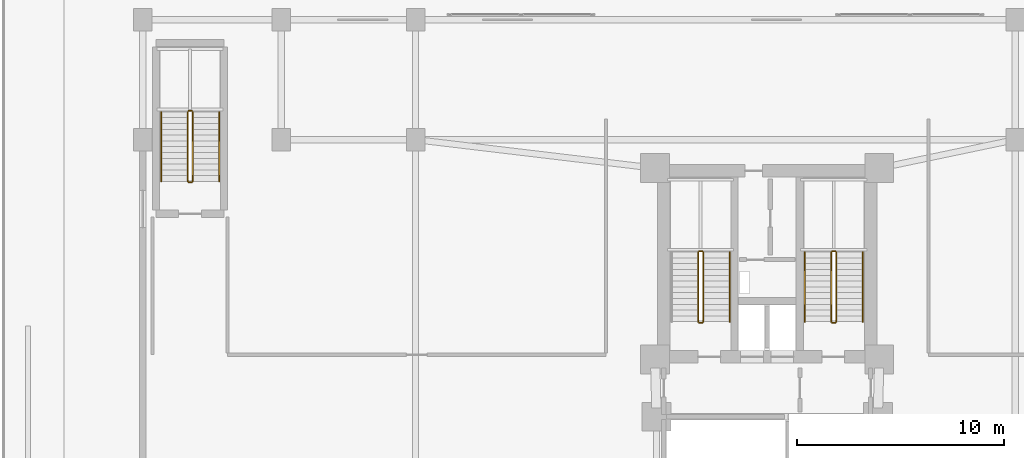
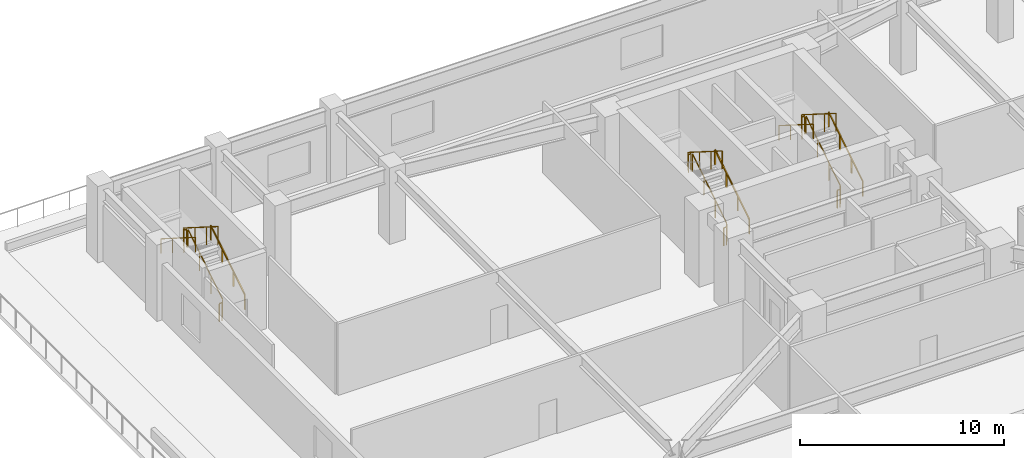
# One storey, part 10 of 10: 17 railings.
"""IFC4 building model written with IfcOpenShell, lengths in metres."""

from ifc_helpers import new_model, si_unit, direction, frame, origin, origin_2d, place, context, subcontext, project, spatial, rectangle, extrude, material, type_object, element, save


model = new_model("IFC4")

# Units and contexts
model_context = context("Model", 3, precision=1e-05, world=origin(), true_north=direction((0.0, 1.0)))
body_context = subcontext(model_context, "Body", "Model", "MODEL_VIEW")
ifc_project = project(units=[si_unit("LENGTHUNIT", "METRE"), si_unit("AREAUNIT", "SQUARE_METRE"), si_unit("VOLUMEUNIT", "CUBIC_METRE"), si_unit("PLANEANGLEUNIT", "RADIAN"), si_unit("MASSUNIT", "GRAM", prefix="KILO")], contexts=[model_context])

# Site, building, storey
site_placement = place(None, origin())
site = spatial("IfcSite", under=ifc_project, at=site_placement, CompositionType="ELEMENT")
building_placement = place(site_placement, origin())
building = spatial("IfcBuilding", under=site, at=building_placement, Name="Varnakorn Sky Granary", CompositionType="ELEMENT")
storey_placement = place(building_placement, frame((0.0, 0.0, 9.199951171875)))
storey = spatial("IfcBuildingStorey", under=building, at=storey_placement, Name="L02", CompositionType="ELEMENT", Elevation=9.199951171875)

# Railings
ifc_material = material(Name="Brushed Stainless Steel 316", Category="steel")
railing_type_1 = type_object("IfcRailingType", Name="RL-STAIR-1100", PredefinedType="GUARDRAIL", material=ifc_material)
railing_1_placement = place(storey_placement, frame((-0.090087890625, 5.199951171875, 0.177001953125)))
element("IfcRailing", 1, at=railing_1_placement, inside=storey, type_object=railing_type_1, Name="L02 ST-1 stair guard 1", PredefinedType="GUARDRAIL", context=body_context, shape_type="SweptSolid", body=[
    extrude(rectangle(XDim=0.048095703125, YDim=0.048095703125, at=origin_2d()), frame((0.0, 0.0, 1.076171875), z_axis=(0.0, 0.845389635667, 0.534150132366), x_axis=(-1.0, 0.0, 0.0)), (0.0, 0.0, 1.0), 3.974609375),
    extrude(rectangle(XDim=0.0419921875, YDim=0.0419921875, at=origin_2d()), origin(), (0.0, 0.0, 1.0), 1.048095703125),
    extrude(rectangle(XDim=0.0419921875, YDim=0.0419921875, at=origin_2d()), frame((0.0, 1.1201171875, 0.707763671875)), (0.0, 0.0, 1.0), 1.048095703125),
    extrude(rectangle(XDim=0.0419921875, YDim=0.0419921875, at=origin_2d()), frame((0.0, 2.239990234375, 1.415283203125)), (0.0, 0.0, 1.0), 1.048095703125),
    extrude(rectangle(XDim=0.0419921875, YDim=0.0419921875, at=origin_2d()), frame((0.0, 3.360107421875, 2.123046875)), (0.0, 0.0, 1.0), 1.048095703125),
])
railing_2_placement = place(storey_placement, frame((-0.139892578125, 8.610107421875, 2.300048828125)))
element("IfcRailing", 2, at=railing_2_placement, inside=storey, type_object=railing_type_1, Name="L02 ST-1 stair guard 2", PredefinedType="GUARDRAIL", context=body_context, shape_type="SweptSolid", body=[
    extrude(rectangle(XDim=0.048095703125, YDim=0.048095703125, at=origin_2d()), frame((0.0, 0.0, 1.076171875), z_axis=(-1.0, 0.0, 0.0), x_axis=(0.0, -1.0, 0.0)), (0.0, 0.0, 1.0), 0.150146484375),
    extrude(rectangle(XDim=0.0419921875, YDim=0.0419921875, at=origin_2d()), origin(), (0.0, 0.0, 1.0), 1.048095703125),
    extrude(rectangle(XDim=0.0419921875, YDim=0.0419921875, at=origin_2d()), frame((-0.150146484375, 0.0, 0.0)), (0.0, 0.0, 1.0), 1.048095703125),
])
railing_3_placement = place(storey_placement, frame((-0.340087890625, 8.56005859375, 2.47705078125)))
element("IfcRailing", 3, at=railing_3_placement, inside=storey, type_object=railing_type_1, Name="L02 ST-1 stair guard 3", PredefinedType="GUARDRAIL", context=body_context, shape_type="SweptSolid", body=[
    extrude(rectangle(XDim=0.048095703125, YDim=0.048095703125, at=origin_2d()), frame((0.0, 0.0, 1.076171875), z_axis=(0.0, -0.845389635667, 0.534150132366), x_axis=(1.0, 0.0, 0.0)), (0.0, 0.0, 1.0), 3.974609375),
    extrude(rectangle(XDim=0.0419921875, YDim=0.0419921875, at=origin_2d()), origin(), (0.0, 0.0, 1.0), 1.048095703125),
    extrude(rectangle(XDim=0.0419921875, YDim=0.0419921875, at=origin_2d()), frame((0.0, -1.1201171875, 0.707763671875)), (0.0, 0.0, 1.0), 1.048095703125),
    extrude(rectangle(XDim=0.0419921875, YDim=0.0419921875, at=origin_2d()), frame((0.0, -2.239990234375, 1.415283203125)), (0.0, 0.0, 1.0), 1.048095703125),
    extrude(rectangle(XDim=0.0419921875, YDim=0.0419921875, at=origin_2d()), frame((0.0, -3.360107421875, 2.123046875)), (0.0, 0.0, 1.0), 1.048095703125),
])
railing_4_placement = place(storey_placement, frame((-0.139892578125, 5.14990234375, 0.0)))
element("IfcRailing", 4, at=railing_4_placement, inside=storey, type_object=railing_type_1, Name="L02 ST-1 stair guard 4", PredefinedType="GUARDRAIL", context=body_context, shape_type="SweptSolid", body=[
    extrude(rectangle(XDim=0.048095703125, YDim=0.048095703125, at=origin_2d()), frame((0.0, 0.0, 1.076171875), z_axis=(-1.0, 0.0, 0.0), x_axis=(0.0, -1.0, 0.0)), (0.0, 0.0, 1.0), 0.150146484375),
    extrude(rectangle(XDim=0.0419921875, YDim=0.0419921875, at=origin_2d()), origin(), (0.0, 0.0, 1.0), 1.048095703125),
    extrude(rectangle(XDim=0.0419921875, YDim=0.0419921875, at=origin_2d()), frame((-0.150146484375, 0.0, 0.0)), (0.0, 0.0, 1.0), 1.048095703125),
])
railing_5_placement = place(storey_placement, frame((6.35009765625, 5.199951171875, 0.177001953125)))
element("IfcRailing", 5, at=railing_5_placement, inside=storey, type_object=railing_type_1, Name="L02 ST-2 stair guard 1", PredefinedType="GUARDRAIL", context=body_context, shape_type="SweptSolid", body=[
    extrude(rectangle(XDim=0.048095703125, YDim=0.048095703125, at=origin_2d()), frame((0.0, 0.0, 1.076171875), z_axis=(0.0, 0.845389635667, 0.534150132366), x_axis=(-1.0, 0.0, 0.0)), (0.0, 0.0, 1.0), 3.974609375),
    extrude(rectangle(XDim=0.0419921875, YDim=0.0419921875, at=origin_2d()), origin(), (0.0, 0.0, 1.0), 1.048095703125),
    extrude(rectangle(XDim=0.0419921875, YDim=0.0419921875, at=origin_2d()), frame((0.0, 1.1201171875, 0.707763671875)), (0.0, 0.0, 1.0), 1.048095703125),
    extrude(rectangle(XDim=0.0419921875, YDim=0.0419921875, at=origin_2d()), frame((0.0, 2.239990234375, 1.415283203125)), (0.0, 0.0, 1.0), 1.048095703125),
    extrude(rectangle(XDim=0.0419921875, YDim=0.0419921875, at=origin_2d()), frame((0.0, 3.360107421875, 2.123046875)), (0.0, 0.0, 1.0), 1.048095703125),
])
railing_6_placement = place(storey_placement, frame((6.300048828125, 8.610107421875, 2.300048828125)))
element("IfcRailing", 6, at=railing_6_placement, inside=storey, type_object=railing_type_1, Name="L02 ST-2 stair guard 2", PredefinedType="GUARDRAIL", context=body_context, shape_type="SweptSolid", body=[
    extrude(rectangle(XDim=0.048095703125, YDim=0.048095703125, at=origin_2d()), frame((0.0, 0.0, 1.076171875), z_axis=(-1.0, 0.0, 0.0), x_axis=(0.0, -1.0, 0.0)), (0.0, 0.0, 1.0), 0.150146484375),
    extrude(rectangle(XDim=0.0419921875, YDim=0.0419921875, at=origin_2d()), origin(), (0.0, 0.0, 1.0), 1.048095703125),
    extrude(rectangle(XDim=0.0419921875, YDim=0.0419921875, at=origin_2d()), frame((-0.150146484375, 0.0, 0.0)), (0.0, 0.0, 1.0), 1.048095703125),
])
railing_7_placement = place(storey_placement, frame((6.10009765625, 8.56005859375, 2.47705078125)))
element("IfcRailing", 7, at=railing_7_placement, inside=storey, type_object=railing_type_1, Name="L02 ST-2 stair guard 3", PredefinedType="GUARDRAIL", context=body_context, shape_type="SweptSolid", body=[
    extrude(rectangle(XDim=0.048095703125, YDim=0.048095703125, at=origin_2d()), frame((0.0, 0.0, 1.076171875), z_axis=(0.0, -0.845389635667, 0.534150132366), x_axis=(1.0, 0.0, 0.0)), (0.0, 0.0, 1.0), 3.974609375),
    extrude(rectangle(XDim=0.0419921875, YDim=0.0419921875, at=origin_2d()), origin(), (0.0, 0.0, 1.0), 1.048095703125),
    extrude(rectangle(XDim=0.0419921875, YDim=0.0419921875, at=origin_2d()), frame((0.0, -1.1201171875, 0.707763671875)), (0.0, 0.0, 1.0), 1.048095703125),
    extrude(rectangle(XDim=0.0419921875, YDim=0.0419921875, at=origin_2d()), frame((0.0, -2.239990234375, 1.415283203125)), (0.0, 0.0, 1.0), 1.048095703125),
    extrude(rectangle(XDim=0.0419921875, YDim=0.0419921875, at=origin_2d()), frame((0.0, -3.360107421875, 2.123046875)), (0.0, 0.0, 1.0), 1.048095703125),
])
railing_8_placement = place(storey_placement, frame((6.300048828125, 5.14990234375, 0.0)))
element("IfcRailing", 8, at=railing_8_placement, inside=storey, type_object=railing_type_1, Name="L02 ST-2 stair guard 4", PredefinedType="GUARDRAIL", context=body_context, shape_type="SweptSolid", body=[
    extrude(rectangle(XDim=0.048095703125, YDim=0.048095703125, at=origin_2d()), frame((0.0, 0.0, 1.076171875), z_axis=(-1.0, 0.0, 0.0), x_axis=(0.0, -1.0, 0.0)), (0.0, 0.0, 1.0), 0.150146484375),
    extrude(rectangle(XDim=0.0419921875, YDim=0.0419921875, at=origin_2d()), origin(), (0.0, 0.0, 1.0), 1.048095703125),
    extrude(rectangle(XDim=0.0419921875, YDim=0.0419921875, at=origin_2d()), frame((-0.150146484375, 0.0, 0.0)), (0.0, 0.0, 1.0), 1.048095703125),
])
railing_9_placement = place(storey_placement, frame((-24.780029296875, 11.97998046875, 0.177001953125)))
element("IfcRailing", 9, at=railing_9_placement, inside=storey, type_object=railing_type_1, Name="L02 ST-B3 stair guard 1", PredefinedType="GUARDRAIL", context=body_context, shape_type="SweptSolid", body=[
    extrude(rectangle(XDim=0.048095703125, YDim=0.048095703125, at=origin_2d()), frame((0.0, 0.0, 1.076171875), z_axis=(0.0, 0.845389635667, 0.534150132366), x_axis=(-1.0, 0.0, 0.0)), (0.0, 0.0, 1.0), 3.974609375),
    extrude(rectangle(XDim=0.0419921875, YDim=0.0419921875, at=origin_2d()), origin(), (0.0, 0.0, 1.0), 1.048095703125),
    extrude(rectangle(XDim=0.0419921875, YDim=0.0419921875, at=origin_2d()), frame((0.0, 1.1201171875, 0.707763671875)), (0.0, 0.0, 1.0), 1.048095703125),
    extrude(rectangle(XDim=0.0419921875, YDim=0.0419921875, at=origin_2d()), frame((0.0, 2.239990234375, 1.415283203125)), (0.0, 0.0, 1.0), 1.048095703125),
    extrude(rectangle(XDim=0.0419921875, YDim=0.0419921875, at=origin_2d()), frame((0.0, 3.360107421875, 2.123046875)), (0.0, 0.0, 1.0), 1.048095703125),
])
railing_10_placement = place(storey_placement, frame((-24.830078125, 15.389892578125, 2.300048828125)))
element("IfcRailing", 10, at=railing_10_placement, inside=storey, type_object=railing_type_1, Name="L02 ST-B3 stair guard 2", PredefinedType="GUARDRAIL", context=body_context, shape_type="SweptSolid", body=[
    extrude(rectangle(XDim=0.048095703125, YDim=0.048095703125, at=origin_2d()), frame((0.0, 0.0, 1.076171875), z_axis=(-1.0, 0.0, 0.0), x_axis=(0.0, -1.0, 0.0)), (0.0, 0.0, 1.0), 0.14990234375),
    extrude(rectangle(XDim=0.0419921875, YDim=0.0419921875, at=origin_2d()), origin(), (0.0, 0.0, 1.0), 1.048095703125),
    extrude(rectangle(XDim=0.0419921875, YDim=0.0419921875, at=origin_2d()), frame((-0.14990234375, 0.0, 0.0)), (0.0, 0.0, 1.0), 1.048095703125),
])
railing_11_placement = place(storey_placement, frame((-25.030029296875, 15.340087890625, 2.47705078125)))
element("IfcRailing", 11, at=railing_11_placement, inside=storey, type_object=railing_type_1, Name="L02 ST-B3 stair guard 3", PredefinedType="GUARDRAIL", context=body_context, shape_type="SweptSolid", body=[
    extrude(rectangle(XDim=0.048095703125, YDim=0.048095703125, at=origin_2d()), frame((0.0, 0.0, 1.076171875), z_axis=(0.0, -0.845389635667, 0.534150132366), x_axis=(1.0, 0.0, 0.0)), (0.0, 0.0, 1.0), 3.974609375),
    extrude(rectangle(XDim=0.0419921875, YDim=0.0419921875, at=origin_2d()), origin(), (0.0, 0.0, 1.0), 1.048095703125),
    extrude(rectangle(XDim=0.0419921875, YDim=0.0419921875, at=origin_2d()), frame((0.0, -1.1201171875, 0.707763671875)), (0.0, 0.0, 1.0), 1.048095703125),
    extrude(rectangle(XDim=0.0419921875, YDim=0.0419921875, at=origin_2d()), frame((0.0, -2.239990234375, 1.415283203125)), (0.0, 0.0, 1.0), 1.048095703125),
    extrude(rectangle(XDim=0.0419921875, YDim=0.0419921875, at=origin_2d()), frame((0.0, -3.360107421875, 2.123046875)), (0.0, 0.0, 1.0), 1.048095703125),
])
railing_12_placement = place(storey_placement, frame((-24.830078125, 11.929931640625, 0.0)))
element("IfcRailing", 12, at=railing_12_placement, inside=storey, type_object=railing_type_1, Name="L02 ST-B3 stair guard 4", PredefinedType="GUARDRAIL", context=body_context, shape_type="SweptSolid", body=[
    extrude(rectangle(XDim=0.048095703125, YDim=0.048095703125, at=origin_2d()), frame((0.0, 0.0, 1.076171875), z_axis=(-1.0, 0.0, 0.0), x_axis=(0.0, -1.0, 0.0)), (0.0, 0.0, 1.0), 0.14990234375),
    extrude(rectangle(XDim=0.0419921875, YDim=0.0419921875, at=origin_2d()), origin(), (0.0, 0.0, 1.0), 1.048095703125),
    extrude(rectangle(XDim=0.0419921875, YDim=0.0419921875, at=origin_2d()), frame((-0.14990234375, 0.0, 0.0)), (0.0, 0.0, 1.0), 1.048095703125),
])
railing_type_2 = type_object("IfcRailingType", Name="RL-STAIR-920", PredefinedType="HANDRAIL", material=ifc_material)
for number, where, name in (
    (13, (1.18994140625, 5.199951171875, 0.177001953125), "L02 ST-1 stair handrail 1"),
    (14, (7.6298828125, 5.199951171875, 0.177001953125), "L02 ST-2 stair handrail 1"),
):
    element("IfcRailing", number, at=place(storey_placement, frame(where)), inside=storey, type_object=railing_type_2, Name=name, PredefinedType="HANDRAIL", context=body_context, shape_type="SweptSolid", body=[
        extrude(rectangle(XDim=0.048095703125, YDim=0.048095703125, at=origin_2d()), frame((0.0, 0.0, 0.8759765625), z_axis=(0.0, 0.845389635667, 0.534150132366), x_axis=(-1.0, 0.0, 0.0)), (0.0, 0.0, 1.0), 3.974609375),
        extrude(rectangle(XDim=0.0419921875, YDim=0.0419921875, at=origin_2d()), origin(), (0.0, 0.0, 1.0), 0.847900390625),
        extrude(rectangle(XDim=0.0419921875, YDim=0.0419921875, at=origin_2d()), frame((0.0, 1.1201171875, 0.707763671875)), (0.0, 0.0, 1.0), 0.847900390625),
        extrude(rectangle(XDim=0.0419921875, YDim=0.0419921875, at=origin_2d()), frame((0.0, 2.239990234375, 1.415283203125)), (0.0, 0.0, 1.0), 0.847900390625),
        extrude(rectangle(XDim=0.0419921875, YDim=0.0419921875, at=origin_2d()), frame((0.0, 3.360107421875, 2.123046875)), (0.0, 0.0, 1.0), 0.847900390625),
    ])
railing_13_placement = place(storey_placement, frame((4.820068359375, 8.56005859375, 2.47705078125)))
element("IfcRailing", 15, at=railing_13_placement, inside=storey, type_object=railing_type_2, Name="L02 ST-2 stair handrail 2", PredefinedType="HANDRAIL", context=body_context, shape_type="SweptSolid", body=[
    extrude(rectangle(XDim=0.048095703125, YDim=0.048095703125, at=origin_2d()), frame((0.0, 0.0, 0.8759765625), z_axis=(0.0, -0.845389635667, 0.534150132366), x_axis=(1.0, 0.0, 0.0)), (0.0, 0.0, 1.0), 3.974609375),
    extrude(rectangle(XDim=0.0419921875, YDim=0.0419921875, at=origin_2d()), origin(), (0.0, 0.0, 1.0), 0.847900390625),
    extrude(rectangle(XDim=0.0419921875, YDim=0.0419921875, at=origin_2d()), frame((0.0, -1.1201171875, 0.707763671875)), (0.0, 0.0, 1.0), 0.847900390625),
    extrude(rectangle(XDim=0.0419921875, YDim=0.0419921875, at=origin_2d()), frame((0.0, -2.239990234375, 1.415283203125)), (0.0, 0.0, 1.0), 0.847900390625),
    extrude(rectangle(XDim=0.0419921875, YDim=0.0419921875, at=origin_2d()), frame((0.0, -3.360107421875, 2.123046875)), (0.0, 0.0, 1.0), 0.847900390625),
])
railing_14_placement = place(storey_placement, frame((-23.5, 11.97998046875, 0.177001953125)))
element("IfcRailing", 16, at=railing_14_placement, inside=storey, type_object=railing_type_2, Name="L02 ST-B3 stair handrail 1", PredefinedType="HANDRAIL", context=body_context, shape_type="SweptSolid", body=[
    extrude(rectangle(XDim=0.048095703125, YDim=0.048095703125, at=origin_2d()), frame((0.0, 0.0, 0.8759765625), z_axis=(0.0, 0.845389635667, 0.534150132366), x_axis=(-1.0, 0.0, 0.0)), (0.0, 0.0, 1.0), 3.974609375),
    extrude(rectangle(XDim=0.0419921875, YDim=0.0419921875, at=origin_2d()), origin(), (0.0, 0.0, 1.0), 0.847900390625),
    extrude(rectangle(XDim=0.0419921875, YDim=0.0419921875, at=origin_2d()), frame((0.0, 1.1201171875, 0.707763671875)), (0.0, 0.0, 1.0), 0.847900390625),
    extrude(rectangle(XDim=0.0419921875, YDim=0.0419921875, at=origin_2d()), frame((0.0, 2.239990234375, 1.415283203125)), (0.0, 0.0, 1.0), 0.847900390625),
    extrude(rectangle(XDim=0.0419921875, YDim=0.0419921875, at=origin_2d()), frame((0.0, 3.360107421875, 2.123046875)), (0.0, 0.0, 1.0), 0.847900390625),
])
railing_15_placement = place(storey_placement, frame((-26.31005859375, 15.340087890625, 2.47705078125)))
element("IfcRailing", 17, at=railing_15_placement, inside=storey, type_object=railing_type_2, Name="L02 ST-B3 stair handrail 2", PredefinedType="HANDRAIL", context=body_context, shape_type="SweptSolid", body=[
    extrude(rectangle(XDim=0.048095703125, YDim=0.048095703125, at=origin_2d()), frame((0.0, 0.0, 0.8759765625), z_axis=(0.0, -0.845389635667, 0.534150132366), x_axis=(1.0, 0.0, 0.0)), (0.0, 0.0, 1.0), 3.974609375),
    extrude(rectangle(XDim=0.0419921875, YDim=0.0419921875, at=origin_2d()), origin(), (0.0, 0.0, 1.0), 0.847900390625),
    extrude(rectangle(XDim=0.0419921875, YDim=0.0419921875, at=origin_2d()), frame((0.0, -1.1201171875, 0.707763671875)), (0.0, 0.0, 1.0), 0.847900390625),
    extrude(rectangle(XDim=0.0419921875, YDim=0.0419921875, at=origin_2d()), frame((0.0, -2.239990234375, 1.415283203125)), (0.0, 0.0, 1.0), 0.847900390625),
    extrude(rectangle(XDim=0.0419921875, YDim=0.0419921875, at=origin_2d()), frame((0.0, -3.360107421875, 2.123046875)), (0.0, 0.0, 1.0), 0.847900390625),
])

save(model, "model.ifc")
